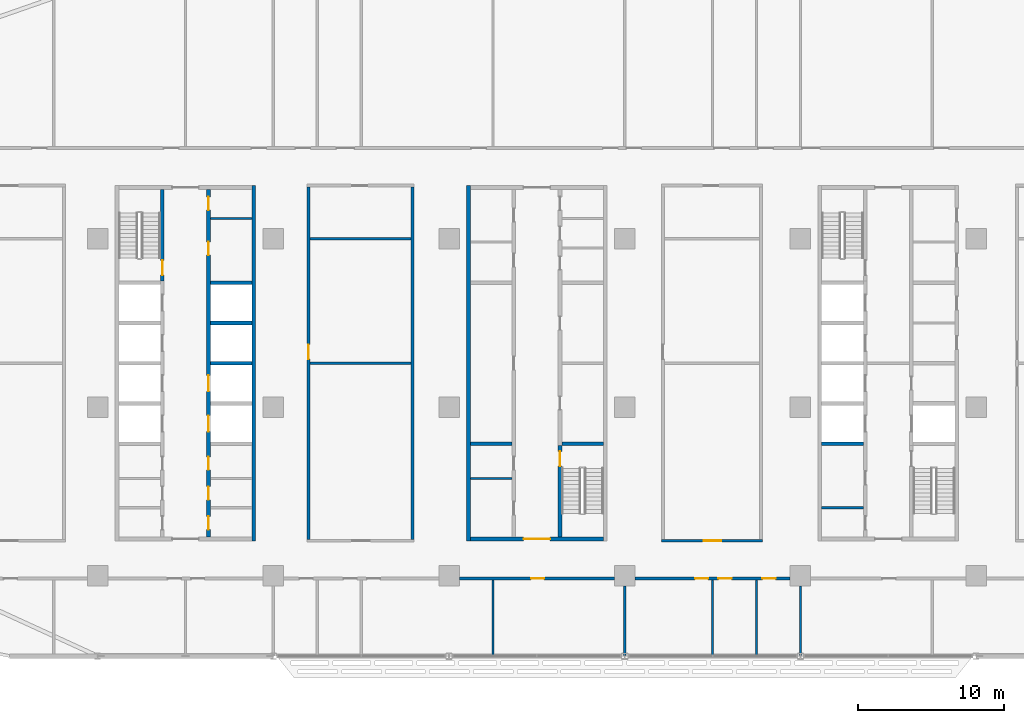
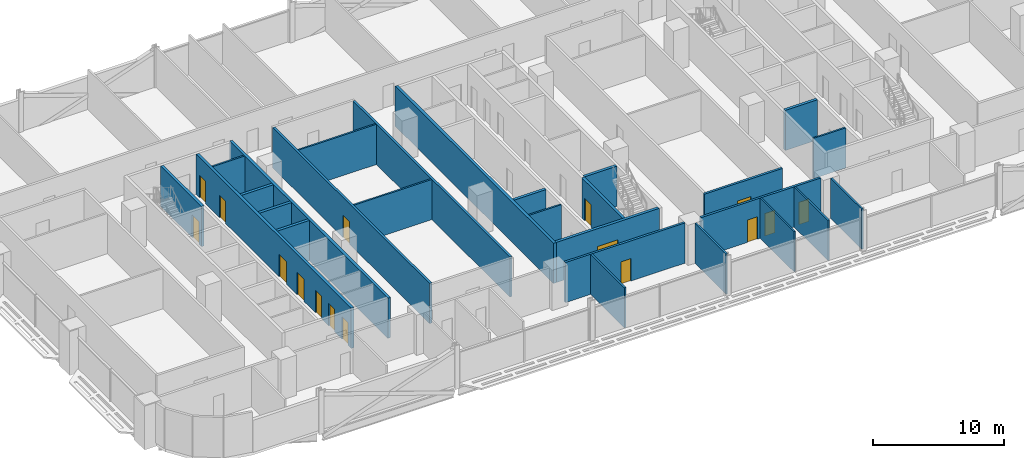
# One storey, part 13 of 29: 27 walls, 16 doors, 16 openings.
"""IFC4 building model written with IfcOpenShell, lengths in metres."""

from ifc_helpers import new_model, si_unit, direction, frame, frame_2d, origin, place, context, subcontext, project, spatial, rectangle, extrude, material, layer, layer_set, type_object, element, fill, save


model = new_model("IFC4")

# Units and contexts
model_context = context("Model", 3, precision=1e-05, world=origin(), true_north=direction((0.0, 1.0)))
body_context = subcontext(model_context, "Body", "Model", "MODEL_VIEW")
ifc_project = project(units=[si_unit("LENGTHUNIT", "METRE"), si_unit("AREAUNIT", "SQUARE_METRE"), si_unit("VOLUMEUNIT", "CUBIC_METRE"), si_unit("PLANEANGLEUNIT", "RADIAN"), si_unit("MASSUNIT", "GRAM", prefix="KILO")], contexts=[model_context])

# Site, building, storey
site_placement = place(None, origin())
site = spatial("IfcSite", under=ifc_project, at=site_placement, CompositionType="ELEMENT")
building_placement = place(site_placement, origin())
building = spatial("IfcBuilding", under=site, at=building_placement, Name="Mahtab Terrace Research Tower", CompositionType="ELEMENT")
storey_placement = place(building_placement, frame((0.0, 0.0, 109.39990234375)))
storey = spatial("IfcBuildingStorey", under=building, at=storey_placement, Name="L25", CompositionType="ELEMENT", Elevation=109.39990234375)

# Walls
ifc_material_1 = material(Name="Gypsum board partition")
ifc_layer_1 = layer(ifc_material_1, 0.14990234375)
ifc_layer_set_1 = layer_set([ifc_layer_1], Name="Core partition 150")
wall_type_1 = type_object("IfcWallType", Name="Core partition 150", PredefinedType="PARTITIONING", material=ifc_layer_set_1)
for number, where, z_axis, x_axis, name in (
    (1, (-22.300048828125, 12.875, 0.0), (0.0, 0.0, 1.0), (1.0, 0.0, 0.0), "Core wall A pEN988"),
    (2, (-4.550048828125, -4.875, 0.0), (0.0, 0.0, 1.0), (1.0, 0.0, 0.0), "Core wall B pWS-788"),
    (3, (19.449951171875, -6.875, 0.0), (0.0, 0.0, 1.0), (1.0, 0.0, 0.0), "Core wall C pWS-988"),
):
    element("IfcWall", number, at=place(storey_placement, frame(where, z_axis=z_axis, x_axis=x_axis)), inside=storey, type_object=wall_type_1, Name=name, PredefinedType="PARTITIONING", context=body_context, shape_type="SweptSolid", body=[
        extrude(rectangle(XDim=2.85009765625, YDim=0.14990234375, at=frame_2d((1.425048828125, 0.0))), origin(), (0.0, 0.0, 1.0), 3.760009765625),
    ])
ifc_material_2 = material(Name="Concrete C70/85", Category="concrete")
ifc_layer_2 = layer(ifc_material_2, 0.25)
ifc_layer_set_2 = layer_set([ifc_layer_2], Name="Core wall 250")
wall_type_2 = type_object("IfcWallType", Name="Core wall 250", PredefinedType="SOLIDWALL", material=ifc_layer_set_2)
wall_1_placement = place(storey_placement, frame((-19.324951171875, -9.125, 0.0), z_axis=(0.0, 0.0, 1.0), x_axis=(0.0, 1.0, 0.0)))
element("IfcWall", 4, at=wall_1_placement, inside=storey, type_object=wall_type_2, Name="Core wall A outerE", PredefinedType="SOLIDWALL", context=body_context, shape_type="SweptSolid", body=[
    extrude(rectangle(XDim=24.25, YDim=0.25, at=frame_2d((12.125, 0.0))), origin(), (0.0, 0.0, 1.0), 3.760009765625),
])

# Wall, opening, door
wall_2_placement = place(storey_placement, frame((-25.574951171875, 14.875, 0.0), z_axis=(0.0, 0.0, 1.0), x_axis=(0.0, -1.0, 0.0)))
wall_2 = element("IfcWall", 5, at=wall_2_placement, inside=storey, type_object=wall_type_2, Name="Core wall A innerWN", PredefinedType="SOLIDWALL", context=body_context, shape_type="SweptSolid", body=[
    extrude(rectangle(XDim=6.25, YDim=0.25, at=frame_2d((3.125, 0.0))), origin(), (0.0, 0.0, 1.0), 3.760009765625),
])
opening_1_placement = place(wall_2_placement, frame((4.85009765625, 0.0, 0.0)))
opening_1 = element("IfcOpeningElement", 6, at=opening_1_placement, cuts=wall_2, Name="Opening A-ST1", PredefinedType="OPENING", context=body_context, shape_type="SweptSolid", body=[
    extrude(rectangle(XDim=1.0, YDim=2.10009765625, at=frame_2d((0.5, 1.050048828125))), frame((0.0, 0.135009765625, 0.0), z_axis=(0.0, -1.0, 0.0), x_axis=(1.0, 0.0, 0.0)), (0.0, 0.0, 1.0), 0.27001953125),
])
ifc_material_3 = material(Name="Steel fire door", Category="steel")
door_type_1 = type_object("IfcDoorType", Name="Stair door 1000x2100 1.5 HR", OperationType="NOTDEFINED", PredefinedType="DOOR", material=ifc_material_3)
door_1_placement = place(opening_1_placement, origin())
door_1 = element("IfcDoor", 7, at=door_1_placement, inside=storey, type_object=door_type_1, Name="Stair door ST1 L25", OperationType="SINGLE_SWING_LEFT", OverallHeight=2.10009765625, OverallWidth=1.0, PredefinedType="DOOR", context=body_context, shape_type="SweptSolid", body=[
    extrude(rectangle(XDim=1.0, YDim=2.10009765625, at=frame_2d((0.5, 1.050048828125))), frame((0.0, 0.02490234375, 0.0), z_axis=(0.0, -1.0, 0.0), x_axis=(1.0, 0.0, 0.0)), (0.0, 0.0, 1.0), 0.050048828125),
])
fill(opening_1, door_1)

# Wall, openings, doors
wall_3_placement = place(storey_placement, frame((-22.425048828125, 14.875, 0.0), z_axis=(0.0, 0.0, 1.0), x_axis=(0.0, -1.0, 0.0)))
wall_3 = element("IfcWall", 8, at=wall_3_placement, inside=storey, type_object=wall_type_2, Name="Core wall A innerESLN", PredefinedType="SOLIDWALL", context=body_context, shape_type="SweptSolid", body=[
    extrude(rectangle(XDim=23.75, YDim=0.25, at=frame_2d((11.875, 0.0))), origin(), (0.0, 0.0, 1.0), 3.760009765625),
])
opening_2_placement = place(wall_3_placement, frame((15.449951171875, 0.0, 0.0)))
opening_2 = element("IfcOpeningElement", 9, at=opening_2_placement, cuts=wall_3, Name="Opening LD05-L25", PredefinedType="OPENING", context=body_context, shape_type="SweptSolid", body=[
    extrude(rectangle(XDim=1.10009765625, YDim=2.10009765625, at=frame_2d((0.550048828125, 1.050048828125))), frame((0.0, 0.135009765625, 0.0), z_axis=(0.0, -1.0, 0.0), x_axis=(1.0, 0.0, 0.0)), (0.0, 0.0, 1.0), 0.27001953125),
])
opening_3_placement = place(wall_3_placement, frame((12.699951171875, 0.0, 0.0)))
opening_3 = element("IfcOpeningElement", 10, at=opening_3_placement, cuts=wall_3, Name="Opening LD06-L25", PredefinedType="OPENING", context=body_context, shape_type="SweptSolid", body=[
    extrude(rectangle(XDim=1.10009765625, YDim=2.10009765625, at=frame_2d((0.550048828125, 1.050048828125))), frame((0.0, 0.135009765625, 0.0), z_axis=(0.0, -1.0, 0.0), x_axis=(1.0, 0.0, 0.0)), (0.0, 0.0, 1.0), 0.27001953125),
])
opening_4_placement = place(wall_3_placement, frame((22.33740234375, 0.0, 0.0)))
opening_4 = element("IfcOpeningElement", 11, at=opening_4_placement, cuts=wall_3, Name="Opening A-R4", PredefinedType="OPENING", context=body_context, shape_type="SweptSolid", body=[
    extrude(rectangle(XDim=0.89990234375, YDim=2.10009765625, at=frame_2d((0.449951171875, 1.050048828125))), frame((0.0, 0.135009765625, 0.0), z_axis=(0.0, -1.0, 0.0), x_axis=(1.0, 0.0, 0.0)), (0.0, 0.0, 1.0), 0.27001953125),
])
opening_5_placement = place(wall_3_placement, frame((20.300048828125, 0.0, 0.0)))
opening_5 = element("IfcOpeningElement", 12, at=opening_5_placement, cuts=wall_3, Name="Opening A-R5", PredefinedType="OPENING", context=body_context, shape_type="SweptSolid", body=[
    extrude(rectangle(XDim=0.89990234375, YDim=2.10009765625, at=frame_2d((0.449951171875, 1.050048828125))), frame((0.0, 0.135009765625, 0.0), z_axis=(0.0, -1.0, 0.0), x_axis=(1.0, 0.0, 0.0)), (0.0, 0.0, 1.0), 0.27001953125),
])
opening_6_placement = place(wall_3_placement, frame((18.262451171875, 0.0, 0.0)))
opening_6 = element("IfcOpeningElement", 13, at=opening_6_placement, cuts=wall_3, Name="Opening A-R6", PredefinedType="OPENING", context=body_context, shape_type="SweptSolid", body=[
    extrude(rectangle(XDim=0.89990234375, YDim=2.10009765625, at=frame_2d((0.449951171875, 1.050048828125))), frame((0.0, 0.135009765625, 0.0), z_axis=(0.0, -1.0, 0.0), x_axis=(1.0, 0.0, 0.0)), (0.0, 0.0, 1.0), 0.27001953125),
])
opening_7_placement = place(wall_3_placement, frame((3.58740234375, 0.0, 0.0)))
opening_7 = element("IfcOpeningElement", 14, at=opening_7_placement, cuts=wall_3, Name="Opening A-R7", PredefinedType="OPENING", context=body_context, shape_type="SweptSolid", body=[
    extrude(rectangle(XDim=0.89990234375, YDim=2.10009765625, at=frame_2d((0.449951171875, 1.050048828125))), frame((0.0, 0.135009765625, 0.0), z_axis=(0.0, -1.0, 0.0), x_axis=(1.0, 0.0, 0.0)), (0.0, 0.0, 1.0), 0.27001953125),
])
opening_8_placement = place(wall_3_placement, frame((0.512451171875, 0.0, 0.0)))
opening_8 = element("IfcOpeningElement", 15, at=opening_8_placement, cuts=wall_3, Name="Opening A-R8", PredefinedType="OPENING", context=body_context, shape_type="SweptSolid", body=[
    extrude(rectangle(XDim=0.89990234375, YDim=2.10009765625, at=frame_2d((0.449951171875, 1.050048828125))), frame((0.0, 0.135009765625, 0.0), z_axis=(0.0, -1.0, 0.0), x_axis=(1.0, 0.0, 0.0)), (0.0, 0.0, 1.0), 0.27001953125),
])
ifc_material_4 = material(Name="Stainless steel AISI 304", Category="steel")
door_type_2 = type_object("IfcDoorType", Name="Landing door 1100x2100", OperationType="DOUBLE_DOOR_SLIDING", PredefinedType="DOOR", material=ifc_material_4)
door_2_placement = place(opening_2_placement, origin())
door_2 = element("IfcDoor", 16, at=door_2_placement, inside=storey, type_object=door_type_2, Name="Landing door LR5 L25", OperationType="DOUBLE_DOOR_SLIDING", OverallHeight=2.10009765625, OverallWidth=1.10009765625, PredefinedType="DOOR", context=body_context, shape_type="SweptSolid", body=[
    extrude(rectangle(XDim=1.10009765625, YDim=2.10009765625, at=frame_2d((0.550048828125, 1.050048828125))), frame((0.0, 0.02490234375, 0.0), z_axis=(0.0, -1.0, 0.0), x_axis=(1.0, 0.0, 0.0)), (0.0, 0.0, 1.0), 0.050048828125),
])
fill(opening_2, door_2)
door_3_placement = place(opening_3_placement, origin())
door_3 = element("IfcDoor", 17, at=door_3_placement, inside=storey, type_object=door_type_2, Name="Landing door LR6 L25", OperationType="DOUBLE_DOOR_SLIDING", OverallHeight=2.10009765625, OverallWidth=1.10009765625, PredefinedType="DOOR", context=body_context, shape_type="SweptSolid", body=[
    extrude(rectangle(XDim=1.10009765625, YDim=2.10009765625, at=frame_2d((0.550048828125, 1.050048828125))), frame((0.0, 0.02490234375, 0.0), z_axis=(0.0, -1.0, 0.0), x_axis=(1.0, 0.0, 0.0)), (0.0, 0.0, 1.0), 0.050048828125),
])
fill(opening_3, door_3)
door_type_3 = type_object("IfcDoorType", Name="Room door 900x2100 1 HR", OperationType="NOTDEFINED", PredefinedType="DOOR", material=ifc_material_3)
door_4_placement = place(opening_4_placement, origin())
door_4 = element("IfcDoor", 18, at=door_4_placement, inside=storey, type_object=door_type_3, Name="Comms riser room door", OperationType="SINGLE_SWING_RIGHT", OverallHeight=2.10009765625, OverallWidth=0.89990234375, PredefinedType="DOOR", context=body_context, shape_type="SweptSolid", body=[
    extrude(rectangle(XDim=0.89990234375, YDim=2.10009765625, at=frame_2d((0.449951171875, 1.050048828125))), frame((0.0, 0.02490234375, 0.0), z_axis=(0.0, -1.0, 0.0), x_axis=(1.0, 0.0, 0.0)), (0.0, 0.0, 1.0), 0.050048828125),
])
fill(opening_4, door_4)
door_5_placement = place(opening_5_placement, origin())
door_5 = element("IfcDoor", 19, at=door_5_placement, inside=storey, type_object=door_type_3, Name="Pantry door", OperationType="SINGLE_SWING_LEFT", OverallHeight=2.10009765625, OverallWidth=0.89990234375, PredefinedType="DOOR", context=body_context, shape_type="SweptSolid", body=[
    extrude(rectangle(XDim=0.89990234375, YDim=2.10009765625, at=frame_2d((0.449951171875, 1.050048828125))), frame((0.0, 0.02490234375, 0.0), z_axis=(0.0, -1.0, 0.0), x_axis=(1.0, 0.0, 0.0)), (0.0, 0.0, 1.0), 0.050048828125),
])
fill(opening_5, door_5)
door_6_placement = place(opening_6_placement, origin())
door_6 = element("IfcDoor", 20, at=door_6_placement, inside=storey, type_object=door_type_3, Name="Cleaners store door", OperationType="SINGLE_SWING_RIGHT", OverallHeight=2.10009765625, OverallWidth=0.89990234375, PredefinedType="DOOR", context=body_context, shape_type="SweptSolid", body=[
    extrude(rectangle(XDim=0.89990234375, YDim=2.10009765625, at=frame_2d((0.449951171875, 1.050048828125))), frame((0.0, 0.02490234375, 0.0), z_axis=(0.0, -1.0, 0.0), x_axis=(1.0, 0.0, 0.0)), (0.0, 0.0, 1.0), 0.050048828125),
])
fill(opening_6, door_6)
door_7_placement = place(opening_7_placement, origin())
door_7 = element("IfcDoor", 21, at=door_7_placement, inside=storey, type_object=door_type_3, Name="IT equipment room door", OperationType="SINGLE_SWING_LEFT", OverallHeight=2.10009765625, OverallWidth=0.89990234375, PredefinedType="DOOR", context=body_context, shape_type="SweptSolid", body=[
    extrude(rectangle(XDim=0.89990234375, YDim=2.10009765625, at=frame_2d((0.449951171875, 1.050048828125))), frame((0.0, 0.02490234375, 0.0), z_axis=(0.0, -1.0, 0.0), x_axis=(1.0, 0.0, 0.0)), (0.0, 0.0, 1.0), 0.050048828125),
])
fill(opening_7, door_7)
door_8_placement = place(opening_8_placement, origin())
door_8 = element("IfcDoor", 22, at=door_8_placement, inside=storey, type_object=door_type_3, Name="Electrical riser room door", OperationType="SINGLE_SWING_RIGHT", OverallHeight=2.10009765625, OverallWidth=0.89990234375, PredefinedType="DOOR", context=body_context, shape_type="SweptSolid", body=[
    extrude(rectangle(XDim=0.89990234375, YDim=2.10009765625, at=frame_2d((0.449951171875, 1.050048828125))), frame((0.0, 0.02490234375, 0.0), z_axis=(0.0, -1.0, 0.0), x_axis=(1.0, 0.0, 0.0)), (0.0, 0.0, 1.0), 0.050048828125),
])
fill(opening_8, door_8)

# Walls
for number, where, z_axis, x_axis, name in (
    (23, (-22.300048828125, 3.0, 0.0), (0.0, 0.0, 1.0), (1.0, 0.0, 0.0), "Core wall A divE2"),
    (24, (-22.300048828125, 5.75, 0.0), (0.0, 0.0, 1.0), (1.0, 0.0, 0.0), "Core wall A divE3"),
    (25, (-22.300048828125, 8.5, 0.0), (0.0, 0.0, 1.0), (1.0, 0.0, 0.0), "Core wall A divE4"),
):
    element("IfcWall", number, at=place(storey_placement, frame(where, z_axis=z_axis, x_axis=x_axis)), inside=storey, type_object=wall_type_2, Name=name, PredefinedType="SOLIDWALL", context=body_context, shape_type="SweptSolid", body=[
        extrude(rectangle(XDim=2.85009765625, YDim=0.25, at=frame_2d((1.425048828125, 0.0))), origin(), (0.0, 0.0, 1.0), 3.760009765625),
    ])
wall_4_placement = place(storey_placement, frame((-4.675048828125, 15.125, 0.0), z_axis=(0.0, 0.0, 1.0), x_axis=(0.0, -1.0, 0.0)))
element("IfcWall", 26, at=wall_4_placement, inside=storey, type_object=wall_type_2, Name="Core wall B outerW", PredefinedType="SOLIDWALL", context=body_context, shape_type="SweptSolid", body=[
    extrude(rectangle(XDim=24.25, YDim=0.25, at=frame_2d((12.125, 0.0))), origin(), (0.0, 0.0, 1.0), 3.760009765625),
])

# Wall, opening, door
wall_5_placement = place(storey_placement, frame((4.550048828125, -9.0, 0.0), z_axis=(0.0, 0.0, 1.0), x_axis=(-1.0, 0.0, 0.0)))
wall_5 = element("IfcWall", 27, at=wall_5_placement, inside=storey, type_object=wall_type_2, Name="Core wall B endS", PredefinedType="SOLIDWALL", context=body_context, shape_type="SweptSolid", body=[
    extrude(rectangle(XDim=9.10009765625, YDim=0.25, at=frame_2d((4.550048828125, 0.0))), origin(), (0.0, 0.0, 1.0), 3.760009765625),
])
opening_9_placement = place(wall_5_placement, frame((3.64990234375, 0.0, 0.0)))
opening_9 = element("IfcOpeningElement", 28, at=opening_9_placement, cuts=wall_5, Name="Opening B-S1", PredefinedType="OPENING", context=body_context, shape_type="SweptSolid", body=[
    extrude(rectangle(XDim=1.800048828125, YDim=2.10009765625, at=frame_2d((0.89990234375, 1.050048828125))), frame((0.0, 0.135009765625, 0.0), z_axis=(0.0, -1.0, 0.0), x_axis=(1.0, 0.0, 0.0)), (0.0, 0.0, 1.0), 0.27001953125),
])
door_type_4 = type_object("IfcDoorType", Name="Lobby double door 1800x2100 1 HR", OperationType="DOUBLE_DOOR_SINGLE_SWING", PredefinedType="DOOR", material=ifc_material_3)
door_9_placement = place(opening_9_placement, origin())
door_9 = element("IfcDoor", 29, at=door_9_placement, inside=storey, type_object=door_type_4, Name="Core entrance door B S", OperationType="DOUBLE_DOOR_SINGLE_SWING", OverallHeight=2.10009765625, OverallWidth=1.800048828125, PredefinedType="DOOR", context=body_context, shape_type="SweptSolid", body=[
    extrude(rectangle(XDim=1.800048828125, YDim=2.10009765625, at=frame_2d((0.89990234375, 1.050048828125))), frame((0.0, 0.02490234375, 0.0), z_axis=(0.0, -1.0, 0.0), x_axis=(1.0, 0.0, 0.0)), (0.0, 0.0, 1.0), 0.050048828125),
])
fill(opening_9, door_9)

wall_6_placement = place(storey_placement, frame((1.574951171875, -8.875, 0.0), z_axis=(0.0, 0.0, 1.0), x_axis=(0.0, 1.0, 0.0)))
wall_6 = element("IfcWall", 30, at=wall_6_placement, inside=storey, type_object=wall_type_2, Name="Core wall B innerES", PredefinedType="SOLIDWALL", context=body_context, shape_type="SweptSolid", body=[
    extrude(rectangle(XDim=6.25, YDim=0.25, at=frame_2d((3.125, 0.0))), origin(), (0.0, 0.0, 1.0), 3.760009765625),
])
opening_10_placement = place(wall_6_placement, frame((4.85009765625, 0.0, 0.0)))
opening_10 = element("IfcOpeningElement", 31, at=opening_10_placement, cuts=wall_6, Name="Opening B-ST2", PredefinedType="OPENING", context=body_context, shape_type="SweptSolid", body=[
    extrude(rectangle(XDim=1.0, YDim=2.10009765625, at=frame_2d((0.5, 1.050048828125))), frame((0.0, 0.135009765625, 0.0), z_axis=(0.0, -1.0, 0.0), x_axis=(1.0, 0.0, 0.0)), (0.0, 0.0, 1.0), 0.27001953125),
])
door_10_placement = place(opening_10_placement, origin())
door_10 = element("IfcDoor", 32, at=door_10_placement, inside=storey, type_object=door_type_1, Name="Stair door ST2 L25", OperationType="SINGLE_SWING_LEFT", OverallHeight=2.10009765625, OverallWidth=1.0, PredefinedType="DOOR", context=body_context, shape_type="SweptSolid", body=[
    extrude(rectangle(XDim=1.0, YDim=2.10009765625, at=frame_2d((0.5, 1.050048828125))), frame((0.0, 0.02490234375, 0.0), z_axis=(0.0, -1.0, 0.0), x_axis=(1.0, 0.0, 0.0)), (0.0, 0.0, 1.0), 0.050048828125),
])
fill(opening_10, door_10)

# Walls
for number, where, z_axis, x_axis, name in (
    (33, (-4.550048828125, -2.5, 0.0), (0.0, 0.0, 1.0), (1.0, 0.0, 0.0), "Core wall B divW0"),
    (34, (1.699951171875, -2.5, 0.0), (0.0, 0.0, 1.0), (1.0, 0.0, 0.0), "Core wall B divE0"),
    (35, (19.449951171875, -2.5, 0.0), (0.0, 0.0, 1.0), (1.0, 0.0, 0.0), "Core wall C divW0"),
):
    element("IfcWall", number, at=place(storey_placement, frame(where, z_axis=z_axis, x_axis=x_axis)), inside=storey, type_object=wall_type_2, Name=name, PredefinedType="SOLIDWALL", context=body_context, shape_type="SweptSolid", body=[
        extrude(rectangle(XDim=2.85009765625, YDim=0.25, at=frame_2d((1.425048828125, 0.0))), origin(), (0.0, 0.0, 1.0), 3.760009765625),
    ])

# Wall, opening, door
ifc_material_5 = material(Name="Gypsum board corridor wall on steel studs", Category="steel")
ifc_layer_3 = layer(ifc_material_5, 0.199951171875)
ifc_layer_set_3 = layer_set([ifc_layer_3], Name="WALL CORRIDOR 200")
wall_type_3 = type_object("IfcWallType", Name="WALL CORRIDOR 200", PredefinedType="PARTITIONING", material=ifc_layer_set_3)
wall_7_placement = place(storey_placement, frame((-5.300048828125, -11.699951171875, 0.0), z_axis=(0.0, 0.0, 1.0), x_axis=(1.0, 0.0, 0.0)))
wall_7 = element("IfcWall", 36, at=wall_7_placement, inside=storey, type_object=wall_type_3, Name="L25-W004", PredefinedType="PARTITIONING", context=body_context, shape_type="SweptSolid", body=[
    extrude(rectangle(XDim=10.60009765625, YDim=0.199951171875, at=frame_2d((5.300048828125, 0.0))), origin(), (0.0, 0.0, 1.0), 3.760009765625),
])
opening_11_placement = place(wall_7_placement, frame((4.89990234375, 0.0, 0.0)))
opening_11 = element("IfcOpeningElement", 37, at=opening_11_placement, cuts=wall_7, Name="Opening L25-107", PredefinedType="OPENING", context=body_context, shape_type="SweptSolid", body=[
    extrude(rectangle(XDim=0.89990234375, YDim=2.10009765625, at=frame_2d((0.449951171875, 1.050048828125))), frame((0.0, 0.10986328125, 0.0), z_axis=(0.0, -1.0, 0.0), x_axis=(1.0, 0.0, 0.0)), (0.0, 0.0, 1.0), 0.219970703125),
])
ifc_material_6 = material(Name="Timber door leaf in steel frame", Category="steel")
door_type_5 = type_object("IfcDoorType", Name="DOOR 0900X2100 FD30S", OperationType="SINGLE_SWING_LEFT", PredefinedType="DOOR", material=ifc_material_6)
door_11_placement = place(opening_11_placement, origin())
door_11 = element("IfcDoor", 38, at=door_11_placement, inside=storey, type_object=door_type_5, Name="Door L25-107", OperationType="SINGLE_SWING_LEFT", OverallHeight=2.10009765625, OverallWidth=0.89990234375, PredefinedType="DOOR", context=body_context, shape_type="SweptSolid", body=[
    extrude(rectangle(XDim=0.89990234375, YDim=2.10009765625, at=frame_2d((0.449951171875, 1.050048828125))), frame((0.0, 0.02490234375, 0.0), z_axis=(0.0, -1.0, 0.0), x_axis=(1.0, 0.0, 0.0)), (0.0, 0.0, 1.0), 0.050048828125),
])
fill(opening_11, door_11)

# Wall, openings, doors
wall_8_placement = place(storey_placement, frame((6.699951171875, -11.699951171875, 0.0), z_axis=(0.0, 0.0, 1.0), x_axis=(1.0, 0.0, 0.0)))
wall_8 = element("IfcWall", 39, at=wall_8_placement, inside=storey, type_object=wall_type_3, Name="L25-W005", PredefinedType="PARTITIONING", context=body_context, shape_type="SweptSolid", body=[
    extrude(rectangle(XDim=10.60009765625, YDim=0.199951171875, at=frame_2d((5.300048828125, 0.0))), origin(), (0.0, 0.0, 1.0), 3.760009765625),
])
opening_12_placement = place(wall_8_placement, frame((4.10009765625, 0.0, 0.0)))
opening_12 = element("IfcOpeningElement", 40, at=opening_12_placement, cuts=wall_8, Name="Opening L25-108", PredefinedType="OPENING", context=body_context, shape_type="SweptSolid", body=[
    extrude(rectangle(XDim=0.89990234375, YDim=2.10009765625, at=frame_2d((0.449951171875, 1.050048828125))), frame((0.0, 0.10986328125, 0.0), z_axis=(0.0, -1.0, 0.0), x_axis=(1.0, 0.0, 0.0)), (0.0, 0.0, 1.0), 0.219970703125),
])
opening_13_placement = place(wall_8_placement, frame((5.699951171875, 0.0, 0.0)))
opening_13 = element("IfcOpeningElement", 41, at=opening_13_placement, cuts=wall_8, Name="Opening L25-109", PredefinedType="OPENING", context=body_context, shape_type="SweptSolid", body=[
    extrude(rectangle(XDim=0.89990234375, YDim=2.10009765625, at=frame_2d((0.449951171875, 1.050048828125))), frame((0.0, 0.10986328125, 0.0), z_axis=(0.0, -1.0, 0.0), x_axis=(1.0, 0.0, 0.0)), (0.0, 0.0, 1.0), 0.219970703125),
])
opening_14_placement = place(wall_8_placement, frame((8.699951171875, 0.0, 0.0)))
opening_14 = element("IfcOpeningElement", 42, at=opening_14_placement, cuts=wall_8, Name="Opening L25-110", PredefinedType="OPENING", context=body_context, shape_type="SweptSolid", body=[
    extrude(rectangle(XDim=0.89990234375, YDim=2.10009765625, at=frame_2d((0.449951171875, 1.050048828125))), frame((0.0, 0.10986328125, 0.0), z_axis=(0.0, -1.0, 0.0), x_axis=(1.0, 0.0, 0.0)), (0.0, 0.0, 1.0), 0.219970703125),
])
door_12_placement = place(opening_12_placement, origin())
door_12 = element("IfcDoor", 43, at=door_12_placement, inside=storey, type_object=door_type_5, Name="Door L25-108", OperationType="SINGLE_SWING_RIGHT", OverallHeight=2.10009765625, OverallWidth=0.89990234375, PredefinedType="DOOR", context=body_context, shape_type="SweptSolid", body=[
    extrude(rectangle(XDim=0.89990234375, YDim=2.10009765625, at=frame_2d((0.449951171875, 1.050048828125))), frame((0.0, 0.02490234375, 0.0), z_axis=(0.0, -1.0, 0.0), x_axis=(1.0, 0.0, 0.0)), (0.0, 0.0, 1.0), 0.050048828125),
])
fill(opening_12, door_12)
door_13_placement = place(opening_13_placement, origin())
door_13 = element("IfcDoor", 44, at=door_13_placement, inside=storey, type_object=door_type_5, Name="Door L25-109", OperationType="SINGLE_SWING_LEFT", OverallHeight=2.10009765625, OverallWidth=0.89990234375, PredefinedType="DOOR", context=body_context, shape_type="SweptSolid", body=[
    extrude(rectangle(XDim=0.89990234375, YDim=2.10009765625, at=frame_2d((0.449951171875, 1.050048828125))), frame((0.0, 0.02490234375, 0.0), z_axis=(0.0, -1.0, 0.0), x_axis=(1.0, 0.0, 0.0)), (0.0, 0.0, 1.0), 0.050048828125),
])
fill(opening_13, door_13)
door_14_placement = place(opening_14_placement, origin())
door_14 = element("IfcDoor", 45, at=door_14_placement, inside=storey, type_object=door_type_5, Name="Door L25-110", OperationType="SINGLE_SWING_LEFT", OverallHeight=2.10009765625, OverallWidth=0.89990234375, PredefinedType="DOOR", context=body_context, shape_type="SweptSolid", body=[
    extrude(rectangle(XDim=0.89990234375, YDim=2.10009765625, at=frame_2d((0.449951171875, 1.050048828125))), frame((0.0, 0.02490234375, 0.0), z_axis=(0.0, -1.0, 0.0), x_axis=(1.0, 0.0, 0.0)), (0.0, 0.0, 1.0), 0.050048828125),
])
fill(opening_14, door_14)

# Wall, opening, door
wall_9_placement = place(storey_placement, frame((8.5, -9.125, 0.0), z_axis=(0.0, 0.0, 1.0), x_axis=(1.0, 0.0, 0.0)))
wall_9 = element("IfcWall", 46, at=wall_9_placement, inside=storey, type_object=wall_type_3, Name="L25-W011", PredefinedType="PARTITIONING", context=body_context, shape_type="SweptSolid", body=[
    extrude(rectangle(XDim=6.89990234375, YDim=0.199951171875, at=frame_2d((3.449951171875, 0.0))), origin(), (0.0, 0.0, 1.0), 3.760009765625),
])
opening_15_placement = place(wall_9_placement, frame((2.89990234375, 0.0, 0.0)))
opening_15 = element("IfcOpeningElement", 47, at=opening_15_placement, cuts=wall_9, Name="Opening L25-119", PredefinedType="OPENING", context=body_context, shape_type="SweptSolid", body=[
    extrude(rectangle(XDim=1.199951171875, YDim=2.10009765625, at=frame_2d((0.60009765625, 1.050048828125))), frame((0.0, 0.10986328125, 0.0), z_axis=(0.0, -1.0, 0.0), x_axis=(1.0, 0.0, 0.0)), (0.0, 0.0, 1.0), 0.219970703125),
])
door_type_6 = type_object("IfcDoorType", Name="DOOR 1200X2100 FD30S", OperationType="SINGLE_SWING_LEFT", PredefinedType="DOOR", material=ifc_material_6)
door_15_placement = place(opening_15_placement, origin())
door_15 = element("IfcDoor", 48, at=door_15_placement, inside=storey, type_object=door_type_6, Name="Door L25-119", OperationType="SINGLE_SWING_RIGHT", OverallHeight=2.10009765625, OverallWidth=1.199951171875, PredefinedType="DOOR", context=body_context, shape_type="SweptSolid", body=[
    extrude(rectangle(XDim=1.199951171875, YDim=2.10009765625, at=frame_2d((0.60009765625, 1.050048828125))), frame((0.0, 0.02490234375, 0.0), z_axis=(0.0, -1.0, 0.0), x_axis=(1.0, 0.0, 0.0)), (0.0, 0.0, 1.0), 0.050048828125),
])
fill(opening_15, door_15)

wall_10_placement = place(storey_placement, frame((-15.60009765625, -9.02490234375, 0.0), z_axis=(0.0, 0.0, 1.0), x_axis=(0.0, 1.0, 0.0)))
wall_10 = element("IfcWall", 49, at=wall_10_placement, inside=storey, type_object=wall_type_3, Name="L25-W035", PredefinedType="PARTITIONING", context=body_context, shape_type="SweptSolid", body=[
    extrude(rectangle(XDim=24.0498046875, YDim=0.199951171875, at=frame_2d((12.02490234375, 0.0))), origin(), (0.0, 0.0, 1.0), 3.760009765625),
])
opening_16_placement = place(wall_10_placement, frame((12.300048828125, 0.0, 0.0)))
opening_16 = element("IfcOpeningElement", 50, at=opening_16_placement, cuts=wall_10, Name="Opening L25-123", PredefinedType="OPENING", context=body_context, shape_type="SweptSolid", body=[
    extrude(rectangle(XDim=1.0, YDim=2.10009765625, at=frame_2d((0.5, 1.050048828125))), frame((0.0, 0.10986328125, 0.0), z_axis=(0.0, -1.0, 0.0), x_axis=(1.0, 0.0, 0.0)), (0.0, 0.0, 1.0), 0.219970703125),
])
door_type_7 = type_object("IfcDoorType", Name="DOOR 1000X2100 FD30S", OperationType="SINGLE_SWING_LEFT", PredefinedType="DOOR", material=ifc_material_6)
door_16_placement = place(opening_16_placement, origin())
door_16 = element("IfcDoor", 51, at=door_16_placement, inside=storey, type_object=door_type_7, Name="Door L25-123", OperationType="SINGLE_SWING_LEFT", OverallHeight=2.10009765625, OverallWidth=1.0, PredefinedType="DOOR", context=body_context, shape_type="SweptSolid", body=[
    extrude(rectangle(XDim=1.0, YDim=2.10009765625, at=frame_2d((0.5, 1.050048828125))), frame((0.0, 0.02490234375, 0.0), z_axis=(0.0, -1.0, 0.0), x_axis=(1.0, 0.0, 0.0)), (0.0, 0.0, 1.0), 0.050048828125),
])
fill(opening_16, door_16)

# Walls
wall_11_placement = place(storey_placement, frame((-8.5, -9.02490234375, 0.0), z_axis=(0.0, 0.0, 1.0), x_axis=(0.0, 1.0, 0.0)))
element("IfcWall", 52, at=wall_11_placement, inside=storey, type_object=wall_type_3, Name="L25-W040", PredefinedType="PARTITIONING", context=body_context, shape_type="SweptSolid", body=[
    extrude(rectangle(XDim=24.0498046875, YDim=0.199951171875, at=frame_2d((12.02490234375, 0.0))), origin(), (0.0, 0.0, 1.0), 3.760009765625),
])
ifc_material_7 = material(Name="Gypsum board partition on steel studs", Category="steel")
ifc_layer_4 = layer(ifc_material_7, 0.14990234375)
ifc_layer_set_4 = layer_set([ifc_layer_4], Name="WALL PARTITION 150")
wall_type_4 = type_object("IfcWallType", Name="WALL PARTITION 150", PredefinedType="PARTITIONING", material=ifc_layer_set_4)
for number, where, z_axis, x_axis, name in (
    (53, (-15.5, 3.0, 0.0), (0.0, 0.0, 1.0), (1.0, 0.0, 0.0), "L25-W014"),
    (54, (-15.5, 11.5, 0.0), (0.0, 0.0, 1.0), (1.0, 0.0, 0.0), "L25-W018"),
):
    element("IfcWall", number, at=place(storey_placement, frame(where, z_axis=z_axis, x_axis=x_axis)), inside=storey, type_object=wall_type_4, Name=name, PredefinedType="PARTITIONING", context=body_context, shape_type="SweptSolid", body=[
        extrude(rectangle(XDim=6.89990234375, YDim=0.14990234375, at=frame_2d((3.449951171875, 0.0))), origin(), (0.0, 0.0, 1.0), 3.760009765625),
    ])
wall_12_placement = place(storey_placement, frame((-3.0, -16.97509765625, 0.0), z_axis=(0.0, 0.0, 1.0), x_axis=(0.0, 1.0, 0.0)))
element("IfcWall", 55, at=wall_12_placement, inside=storey, type_object=wall_type_4, Name="L25-W041", PredefinedType="PARTITIONING", context=body_context, shape_type="SweptSolid", body=[
    extrude(rectangle(XDim=5.175048828125, YDim=0.14990234375, at=frame_2d((2.58740234375, 0.0))), origin(), (0.0, 0.0, 1.0), 3.760009765625),
])
wall_13_placement = place(storey_placement, frame((6.0, -16.97509765625, 0.0), z_axis=(0.0, 0.0, 1.0), x_axis=(0.0, 1.0, 0.0)))
element("IfcWall", 56, at=wall_13_placement, inside=storey, type_object=wall_type_4, Name="L25-W043", PredefinedType="PARTITIONING", context=body_context, shape_type="SweptSolid", body=[
    extrude(rectangle(XDim=4.775146484375, YDim=0.14990234375, at=frame_2d((2.3876953125, 0.0))), origin(), (0.0, 0.0, 1.0), 3.760009765625),
])
for number, where, z_axis, x_axis, name in (
    (57, (12.0, -16.97509765625, 0.0), (0.0, 0.0, 1.0), (0.0, 1.0, 0.0), "L25-W046"),
    (58, (15.0, -16.97509765625, 0.0), (0.0, 0.0, 1.0), (0.0, 1.0, 0.0), "L25-W048"),
):
    element("IfcWall", number, at=place(storey_placement, frame(where, z_axis=z_axis, x_axis=x_axis)), inside=storey, type_object=wall_type_4, Name=name, PredefinedType="PARTITIONING", context=body_context, shape_type="SweptSolid", body=[
        extrude(rectangle(XDim=5.175048828125, YDim=0.14990234375, at=frame_2d((2.58740234375, 0.0))), origin(), (0.0, 0.0, 1.0), 3.760009765625),
    ])
wall_14_placement = place(storey_placement, frame((18.0, -16.97509765625, 0.0), z_axis=(0.0, 0.0, 1.0), x_axis=(0.0, 1.0, 0.0)))
element("IfcWall", 59, at=wall_14_placement, inside=storey, type_object=wall_type_4, Name="L25-W051", PredefinedType="PARTITIONING", context=body_context, shape_type="SweptSolid", body=[
    extrude(rectangle(XDim=4.775146484375, YDim=0.14990234375, at=frame_2d((2.3876953125, 0.0))), origin(), (0.0, 0.0, 1.0), 3.760009765625),
])

save(model, "model.ifc")
